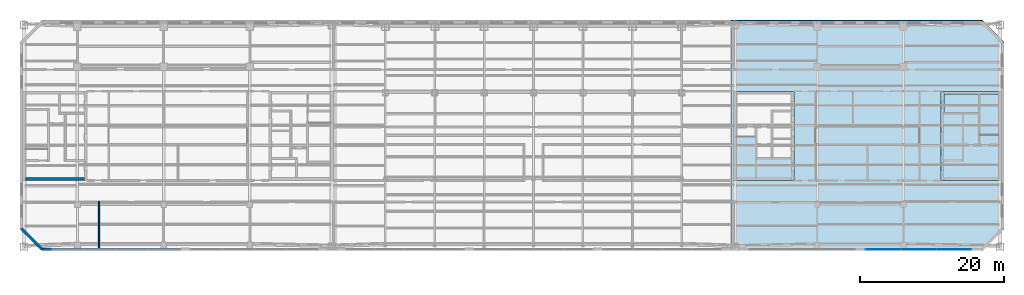
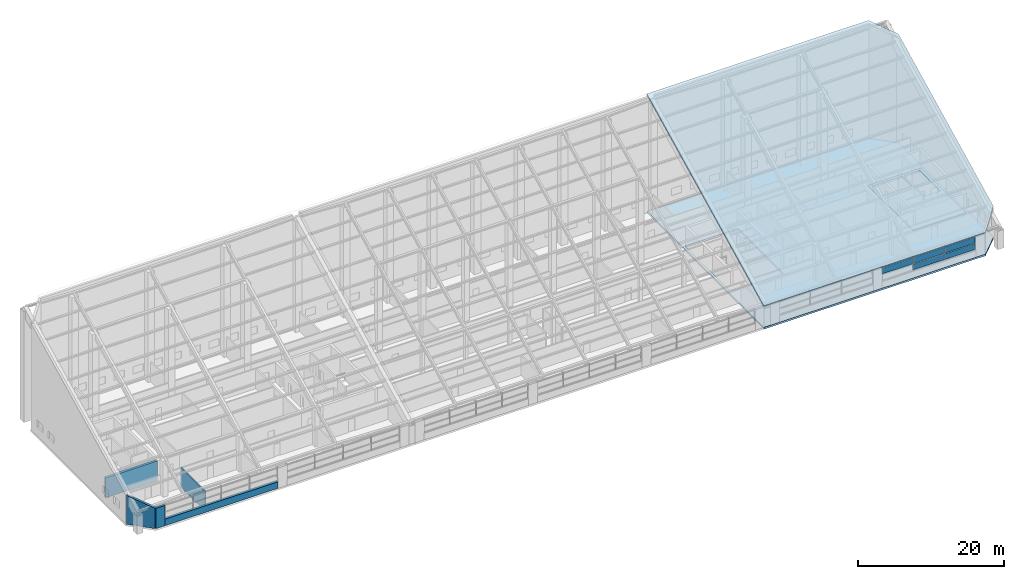
# One storey, part 18 of 28: 5 plates, 5 walls, 3 slabs, 1 element without a shape of its own.
"""IFC4 building model written with IfcOpenShell, lengths in metres."""

import ifcopenshell
import ifcopenshell.guid

model = None  # the IFC model being written
_history = None  # IfcOwnerHistory: only IFC2X3 demands one
_inside = {}  # id of a spatial element -> (the spatial element, [elements in it])
_under = {}  # id of a project, library or spatial element -> (it, [spatial elements below it])
_declared = {}  # id of a project -> (the project, [libraries it declares])
_typed = {}  # id of a type object -> (the type object, [elements of that type])
_made_of = {}  # id of a material, layer set ... -> (it, [elements and type objects made of it])


def new_model(schema):
    """Start an empty IFC model of exactly this schema.

    Asked for "IFC4X3", IfcOpenShell would pick the latest addendum, in which some entities
    have other attributes; the version numbers below select the first issue.
    IFC2X3 requires an IfcOwnerHistory on every rooted entity: one is made here for all.
    """
    global model, _history
    if schema == "IFC4X3":
        model = ifcopenshell.file(schema_version=(4, 3, 0, 0))
    else:
        model = ifcopenshell.file(schema=schema)
    _inside.clear()
    _under.clear()
    _declared.clear()
    _typed.clear()
    _made_of.clear()
    _history = None
    if model.schema == "IFC2X3":
        org = make("IfcOrganization", Name="unknown")
        user = make(
            "IfcPersonAndOrganization",
            ThePerson=make("IfcPerson", FamilyName="unknown"),
            TheOrganization=org,
        )
        app = make(
            "IfcApplication",
            ApplicationDeveloper=org,
            Version="unknown",
            ApplicationFullName="unknown",
            ApplicationIdentifier="unknown",
        )
        _history = make(
            "IfcOwnerHistory",
            OwningUser=user,
            OwningApplication=app,
            ChangeAction="ADDED",
            CreationDate=0,
        )
    return model


def make(cls, **values):
    """One entity of the class cls with the attributes given. An attribute that is None is left unset."""
    return model.create_entity(
        cls, **{name: value for name, value in values.items() if value is not None}
    )


def rooted(cls, **values):
    """An entity with a GlobalId (a new one), such as an element, a storey or a relation."""
    return make(cls, GlobalId=ifcopenshell.guid.new(), OwnerHistory=_history, **values)


def si_unit(unit_type, name, prefix=None):
    """IfcSIUnit, for example si_unit("LENGTHUNIT", "METRE", prefix="MILLI")."""
    return make("IfcSIUnit", UnitType=unit_type, Prefix=prefix, Name=name)


def assignment(units):
    """IfcUnitAssignment: the units of a project."""
    return None if units is None else make("IfcUnitAssignment", Units=units)


def point(xyz):
    """IfcCartesianPoint."""
    return None if xyz is None else make("IfcCartesianPoint", Coordinates=xyz)


def direction(xyz):
    """IfcDirection."""
    return None if xyz is None else make("IfcDirection", DirectionRatios=xyz)


def frame(location, z_axis=None, x_axis=None):
    """IfcAxis2Placement3D, a coordinate frame: its origin and axes. An axis left out is left unset."""
    return make(
        "IfcAxis2Placement3D",
        Location=point(location),
        Axis=direction(z_axis),
        RefDirection=direction(x_axis),
    )


def frame_2d(location, x_axis=None):
    """IfcAxis2Placement2D, a coordinate frame in the plane: its origin and x axis."""
    return make(
        "IfcAxis2Placement2D", Location=point(location), RefDirection=direction(x_axis)
    )


def origin():
    """The frame at (0, 0, 0) with its axes left unset."""
    return frame((0.0, 0.0, 0.0))


def origin_2d():
    """The frame at (0, 0) in the plane with its x axis left unset."""
    return frame_2d((0.0, 0.0))


def place(relative_to, where):
    """IfcLocalPlacement: puts the frame where relative to a parent placement (None: the world)."""
    return make(
        "IfcLocalPlacement", PlacementRelTo=relative_to, RelativePlacement=where
    )


def context(
    kind, dimensions, precision=None, world=None, true_north=None, identifier=None
):
    """IfcGeometricRepresentationContext, for example the 3D "Model" context."""
    return make(
        "IfcGeometricRepresentationContext",
        ContextIdentifier=identifier,
        ContextType=kind,
        CoordinateSpaceDimension=dimensions,
        Precision=precision,
        WorldCoordinateSystem=world,
        TrueNorth=true_north,
    )


def subcontext(parent, identifier, kind, view, scale=None):
    """IfcGeometricRepresentationSubContext, for example "Body" below "Model"."""
    return make(
        "IfcGeometricRepresentationSubContext",
        ContextIdentifier=identifier,
        ContextType=kind,
        ParentContext=parent,
        TargetScale=scale,
        TargetView=view,
    )


def project(units=None, contexts=None):
    """IfcProject with its units and contexts."""
    return rooted(
        "IfcProject",
        Name="project",
        RepresentationContexts=contexts,
        UnitsInContext=assignment(units),
    )


def spatial(cls, under=None, at=None, **own):
    """A site, building, storey or space (cls), placed at a placement, below another one or the project."""
    s = rooted(cls, ObjectPlacement=at, **own)
    if under is not None:
        _under.setdefault(under.id(), (under, []))[1].append(s)
    return s


def polyline(points):
    """IfcPolyline through the points."""
    return make("IfcPolyline", Points=[point(p) for p in points])


def profile(cls, at=None, kind="AREA", **sizes):
    """A parametric profile (cls). Its sizes go by their IFC names, for example OverallWidth=200.0."""
    return make(cls, ProfileType=kind, Position=at, **sizes)


def rectangle(**sizes):
    """IfcRectangleProfileDef."""
    return profile("IfcRectangleProfileDef", **sizes)


def outline(outer, holes=None, kind="AREA"):
    """IfcArbitraryClosedProfileDef: a profile drawn as a closed curve; with holes, ...WithVoids."""
    if holes is None:
        return make("IfcArbitraryClosedProfileDef", ProfileType=kind, OuterCurve=outer)
    return make(
        "IfcArbitraryProfileDefWithVoids",
        ProfileType=kind,
        OuterCurve=outer,
        InnerCurves=holes,
    )


def extrude(swept, where, along, depth):
    """IfcExtrudedAreaSolid: the profile swept, set in the frame where, extruded along a direction by depth."""
    return make(
        "IfcExtrudedAreaSolid",
        SweptArea=swept,
        Position=where,
        ExtrudedDirection=direction(along),
        Depth=depth,
    )


def shape(context_of_items, identifier, shape_type, items):
    """IfcShapeRepresentation: the items that make up one representation, for example the "Body"."""
    return make(
        "IfcShapeRepresentation",
        ContextOfItems=context_of_items,
        RepresentationIdentifier=identifier,
        RepresentationType=shape_type,
        Items=items,
    )


def material(Name=None, Category=None):
    """IfcMaterial."""
    return make("IfcMaterial", Name=Name, Category=Category)


def layer(
    of_material, thickness, ventilated=None, Name=None, Category=None, Priority=None
):
    """IfcMaterialLayer: one layer of a wall or slab, of a material (None: an air gap)."""
    return make(
        "IfcMaterialLayer",
        Material=of_material,
        LayerThickness=thickness,
        IsVentilated=ventilated,
        Name=Name,
        Category=Category,
        Priority=Priority,
    )


def layer_set(layers, Name=None):
    """IfcMaterialLayerSet."""
    return make("IfcMaterialLayerSet", MaterialLayers=layers, LayerSetName=Name)


def made_of(thing, what):
    """Note that an element or type object is made of a material, layer set ...; save() writes the relation."""
    if what is not None:
        _made_of.setdefault(what.id(), (what, []))[1].append(thing)
    return thing


def type_object(cls, material=None, **own):
    """A type object (cls), such as IfcWallType, which elements share."""
    return made_of(rooted(cls, **own), material)


def element(
    cls,
    number,
    at=None,
    inside=None,
    cuts=None,
    type_object=None,
    material=None,
    context=None,
    identifier="Body",
    shape_type=None,
    held_by="IfcProductDefinitionShape",
    body=None,
    shapes=None,
    **own,
):
    """One element of the class cls, such as IfcWall. Its Tag is "e" and its number.

    at: its placement. inside: the storey or other place that contains it. cuts: it is an
    opening in that element (IfcRelVoidsElement). A single representation is given by context,
    identifier, shape_type and body (its items); several are given by shapes. held_by: the class
    of the entity that holds the representations. save() writes the other relations.
    """
    e = rooted(cls, Tag="e%d" % number, ObjectPlacement=at, **own)
    if body is not None:
        shapes = [shape(context, identifier, shape_type, body)]
    if shapes is not None:
        e.Representation = make(held_by, Representations=shapes)
    if inside is not None:
        _inside.setdefault(inside.id(), (inside, []))[1].append(e)
    if cuts is not None:
        rooted(
            "IfcRelVoidsElement", RelatingBuildingElement=cuts, RelatedOpeningElement=e
        )
    if type_object is not None:
        _typed.setdefault(type_object.id(), (type_object, []))[1].append(e)
    return made_of(e, material)


def aggregate(whole, parts):
    """IfcRelAggregates: a whole, such as a stair, and the parts it consists of."""
    return rooted("IfcRelAggregates", RelatingObject=whole, RelatedObjects=parts)


def save(model, path):
    """Write the relations noted so far, then the file.

    IfcRelAggregates (storeys below a building ...), IfcRelContainedInSpatialStructure (elements
    in a storey), IfcRelDefinesByType, IfcRelAssociatesMaterial and IfcRelDeclares: one each for
    every whole, place, type object, material and project.
    """
    for whole, parts in _under.values():
        aggregate(whole, parts)
    for where, things in _inside.values():
        rooted(
            "IfcRelContainedInSpatialStructure",
            RelatedElements=things,
            RelatingStructure=where,
        )
    for kind, things in _typed.values():
        rooted("IfcRelDefinesByType", RelatedObjects=things, RelatingType=kind)
    for what, things in _made_of.values():
        rooted("IfcRelAssociatesMaterial", RelatedObjects=things, RelatingMaterial=what)
    for by, libraries in _declared.values():
        rooted("IfcRelDeclares", RelatingContext=by, RelatedDefinitions=libraries)
    model.write(path)


model = new_model("IFC4")

# Units and contexts
model_context = context("Model", 3, precision=1e-05, world=origin(), true_north=direction((0.0, 1.0)))
body_context = subcontext(model_context, "Body", "Model", "MODEL_VIEW")
ifc_project = project(units=[si_unit("LENGTHUNIT", "METRE"), si_unit("AREAUNIT", "SQUARE_METRE"), si_unit("VOLUMEUNIT", "CUBIC_METRE"), si_unit("PLANEANGLEUNIT", "RADIAN"), si_unit("MASSUNIT", "GRAM", prefix="KILO")], contexts=[model_context])

# Site, building, storey
site_placement = place(None, origin())
site = spatial("IfcSite", under=ifc_project, at=site_placement, CompositionType="ELEMENT")
building_placement = place(site_placement, origin())
building = spatial("IfcBuilding", under=site, at=building_placement, Name="Tuart Gate Housing", CompositionType="ELEMENT")
storey_placement = place(building_placement, frame((0.0, 0.0, 243.89990234375)))
storey = spatial("IfcBuildingStorey", under=building, at=storey_placement, Name="L68", CompositionType="ELEMENT", Elevation=243.89990234375)

# Slabs
ifc_material_1 = material(Name="Zinc standing seam roof on insulated deck")
ifc_layer_1 = layer(ifc_material_1, 0.268310546875)
ifc_layer_set_1 = layer_set([ifc_layer_1], Name="CROWN ROOF")
slab_type_1 = type_object("IfcSlabType", Name="CROWN ROOF", PredefinedType="ROOF", material=ifc_layer_set_1)
slab_1_placement = place(storey_placement, frame((166.0, 86.0, 19.60009765625), z_axis=(0.0, -0.4472135955, 0.894427191), x_axis=(0.666666666667, -0.666666666667, -0.333333333333)))
element("IfcSlab", 1, at=slab_1_placement, inside=storey, type_object=slab_type_1, Name="Crown roof 3", PredefinedType="ROOF", context=body_context, shape_type="SweptSolid", body=[
    extrude(outline(polyline([(0.0, 0.0), (4.5, 0.0), (26.166666666666664, -19.379255804998174), (26.666666666666664, -23.851391759997753), (3.333333333333333, -49.93885149749529), (-23.333333333333332, -26.087459737497543), (0.0, 0.0)])), origin(), (0.0, 0.0, -1.0), 0.268310546875),
])
ifc_material_2 = material(Name="Concrete C40", Category="concrete")
ifc_layer_2 = layer(ifc_material_2, 0.300048828125)
ifc_layer_set_2 = layer_set([ifc_layer_2], Name="Core floor slab 300")
slab_type_2 = type_object("IfcSlabType", Name="Core floor slab 300", PredefinedType="FLOOR", material=ifc_layer_set_2)
slab_2_placement = place(storey_placement, frame((0.0, 0.0, -0.2998046875)))
element("IfcSlab", 2, at=slab_2_placement, inside=storey, type_object=slab_type_2, Name="Core floor BK", PredefinedType="FLOOR", context=body_context, shape_type="SweptSolid", body=[
    extrude(outline(polyline([(160.239990234375, 63.800048828125), (168.639892578125, 63.800048828125), (168.639892578125, 76.199951171875), (160.239990234375, 76.199951171875), (160.239990234375, 63.800048828125)]), holes=[polyline([(160.639892578125, 73.14990234375), (165.4150390625, 73.14990234375), (165.4150390625, 75.800048828125), (160.639892578125, 75.800048828125), (160.639892578125, 73.14990234375)]), polyline([(165.6650390625, 70.14501953125), (168.239990234375, 70.14501953125), (168.239990234375, 75.800048828125), (165.6650390625, 75.800048828125), (165.6650390625, 70.14501953125)])]), origin(), (0.0, 0.0, 1.0), 0.2998046875),
])
ifc_material_3 = material(Name="Concrete C40", Category="concrete")
ifc_layer_3 = layer(ifc_material_3, 0.300048828125)
ifc_layer_set_3 = layer_set([ifc_layer_3], Name="Flat plate 300")
slab_type_3 = type_object("IfcSlabType", Name="Flat plate 300", PredefinedType="FLOOR", material=ifc_layer_set_3)
slab_3_placement = place(storey_placement, frame((0.0, 0.0, -0.2998046875)))
element("IfcSlab", 3, at=slab_3_placement, inside=storey, type_object=slab_type_3, Name="Floor slab B L68", PredefinedType="FLOOR", context=body_context, shape_type="SweptSolid", body=[
    extrude(outline(polyline([(166.0, 86.0), (131.0, 86.0), (131.0, 54.0), (166.0, 54.0), (169.0, 57.0), (169.0, 83.0), (166.0, 86.0)]), holes=[polyline([(131.360107421875, 76.199951171875), (139.760009765625, 76.199951171875), (139.760009765625, 63.800048828125), (131.360107421875, 63.800048828125), (131.360107421875, 76.199951171875)]), polyline([(168.639892578125, 76.199951171875), (168.639892578125, 63.800048828125), (160.239990234375, 63.800048828125), (160.239990234375, 76.199951171875), (168.639892578125, 76.199951171875)])]), origin(), (0.0, 0.0, 1.0), 0.2998046875),
])

# Curtain wall, plates
ifc_material_4 = material(Name="Aluminium and clear glass", Category="aluminium")
curtain_wall_type = type_object("IfcCurtainWallType", Name="Crown clerestory glazing", PredefinedType="USERDEFINED", material=ifc_material_4)
curtain_wall_placement = place(storey_placement, origin())
curtain_wall = element("IfcCurtainWall", 4, at=curtain_wall_placement, inside=storey, type_object=curtain_wall_type, Name="Crown clerestory glazing BLK-S L68", ObjectType="CROWN CLERESTORY GLAZING", PredefinedType="USERDEFINED")
ifc_material_5 = material(Name="Clear glass", Category="glass")
ifc_layer_4 = layer(ifc_material_5, 0.028076171875)
ifc_layer_set_4 = layer_set([ifc_layer_4], Name="Glazed panel 28")
plate_type = type_object("IfcPlateType", Name="Glazed panel 28", PredefinedType="CURTAIN_PANEL", material=ifc_layer_set_4)
plate_1_placement = place(storey_placement, frame((152.17578125, 54.179931640625, 2.26025390625), z_axis=(0.0, 0.0, 1.0), x_axis=(1.0, 0.0, 0.0)))
plate_1 = element("IfcPlate", 5, at=plate_1_placement, type_object=plate_type, Name="CW6 panel 1.2", PredefinedType="CURTAIN_PANEL", context=body_context, shape_type="SweptSolid", body=[
    extrude(rectangle(XDim=4.85595703125, YDim=0.028076171875, at=origin_2d()), origin(), (0.0, 0.0, 1.0), 1.010009765625),
])
plate_2_placement = place(storey_placement, frame((157.106689453125, 54.179931640625, 1.22021484375), z_axis=(0.0, 0.0, 1.0), x_axis=(1.0, 0.0, 0.0)))
plate_2 = element("IfcPlate", 6, at=plate_2_placement, type_object=plate_type, Name="CW6 panel 2.1", PredefinedType="CURTAIN_PANEL", context=body_context, shape_type="SweptSolid", body=[
    extrude(rectangle(XDim=4.885986328125, YDim=0.028076171875, at=origin_2d()), origin(), (0.0, 0.0, 1.0), 0.919921875),
])
plate_3_placement = place(storey_placement, frame((157.106689453125, 54.179931640625, 2.26025390625), z_axis=(0.0, 0.0, 1.0), x_axis=(1.0, 0.0, 0.0)))
plate_3 = element("IfcPlate", 7, at=plate_3_placement, type_object=plate_type, Name="CW6 panel 2.2", PredefinedType="CURTAIN_PANEL", context=body_context, shape_type="SweptSolid", body=[
    extrude(rectangle(XDim=4.885986328125, YDim=0.028076171875, at=origin_2d()), origin(), (0.0, 0.0, 1.0), 1.010009765625),
])
plate_4_placement = place(storey_placement, frame((162.03759765625, 54.179931640625, 1.22021484375), z_axis=(0.0, 0.0, 1.0), x_axis=(1.0, 0.0, 0.0)))
plate_4 = element("IfcPlate", 8, at=plate_4_placement, type_object=plate_type, Name="CW6 panel 3.1", PredefinedType="CURTAIN_PANEL", context=body_context, shape_type="SweptSolid", body=[
    extrude(rectangle(XDim=4.85595703125, YDim=0.028076171875, at=origin_2d()), origin(), (0.0, 0.0, 1.0), 0.919921875),
])
plate_5_placement = place(storey_placement, frame((162.03759765625, 54.179931640625, 2.26025390625), z_axis=(0.0, 0.0, 1.0), x_axis=(1.0, 0.0, 0.0)))
plate_5 = element("IfcPlate", 9, at=plate_5_placement, type_object=plate_type, Name="CW6 panel 3.2", PredefinedType="CURTAIN_PANEL", context=body_context, shape_type="SweptSolid", body=[
    extrude(rectangle(XDim=4.85595703125, YDim=0.028076171875, at=origin_2d()), origin(), (0.0, 0.0, 1.0), 1.010009765625),
])
aggregate(curtain_wall, [plate_1, plate_2, plate_3, plate_4, plate_5])

# Walls
ifc_material_6 = material(Name="Brick", Category="masonry")
ifc_layer_5 = layer(ifc_material_6, 0.360107421875)
ifc_layer_set_5 = layer_set([ifc_layer_5], Name="Brick pier and spandrel wall 360")
wall_type_1 = type_object("IfcWallType", Name="Brick pier and spandrel wall 360", PredefinedType="STANDARD", material=ifc_layer_set_5)
wall_1_placement = place(storey_placement, frame((32.179931640625, 57.07470703125, 0.0), z_axis=(0.0, 0.0, 1.0), x_axis=(0.707106781187, -0.707106781187, 0.0)))
element("IfcWall", 10, at=wall_1_placement, inside=storey, type_object=wall_type_1, Name="Crown cladding wall BLK-SW", PredefinedType="STANDARD", context=body_context, shape_type="SweptSolid", body=[
    extrude(outline(polyline([(0.0, 0.0), (4.09375, 0.0), (4.093505859375, 3.39013671875), (0.0, 4.83740234375), (0.0, 0.0)])), frame((0.0, 0.18017578125, 0.0), z_axis=(0.0, -1.0, 0.0), x_axis=(1.0, 0.0, 0.0)), (0.0, 0.0, 1.0), 0.360107421875),
])
wall_2_placement = place(storey_placement, frame((35.07470703125, 54.179931640625, 0.0), z_axis=(0.0, 0.0, 1.0), x_axis=(1.0, 0.0, 0.0)))
element("IfcWall", 11, at=wall_2_placement, inside=storey, type_object=wall_type_1, Name="Crown pier 1", PredefinedType="STANDARD", context=body_context, shape_type="SweptSolid", body=[
    extrude(rectangle(XDim=1.39990234375, YDim=0.360107421875, at=frame_2d((0.699951171875, 0.0))), origin(), (0.0, 0.0, 1.0), 3.39013671875),
])
wall_3_placement = place(storey_placement, frame((36.474609375, 54.179931640625, 0.0), z_axis=(0.0, 0.0, 1.0), x_axis=(1.0, 0.0, 0.0)))
element("IfcWall", 12, at=wall_3_placement, inside=storey, type_object=wall_type_1, Name="Crown sill wall 1", PredefinedType="STANDARD", context=body_context, shape_type="SweptSolid", body=[
    extrude(rectangle(XDim=17.837646484375, YDim=0.360107421875, at=frame_2d((8.9189453125, 0.0))), origin(), (0.0, 0.0, 1.0), 1.10009765625),
])
ifc_material_7 = material(Name="Concrete C40", Category="concrete")
ifc_layer_6 = layer(ifc_material_7, 0.39990234375)
ifc_layer_set_6 = layer_set([ifc_layer_6], Name="Core wall 400 C40")
wall_type_2 = type_object("IfcWallType", Name="Core wall 400 C40", PredefinedType="SHEAR", material=ifc_layer_set_6)
wall_4_placement = place(storey_placement, frame((40.9599609375, 64.0, 0.0), z_axis=(0.0, 0.0, 1.0), x_axis=(-1.0, 0.0, 0.0)))
element("IfcWall", 13, at=wall_4_placement, inside=storey, type_object=wall_type_2, Name="Core wall AK north", PredefinedType="SHEAR", context=body_context, shape_type="SweptSolid", body=[
    extrude(rectangle(XDim=8.199951171875, YDim=0.39990234375, at=frame_2d((4.10009765625, 0.0))), origin(), (0.0, 0.0, 1.0), 3.300048828125),
])
ifc_material_8 = material(Name="Concrete masonry 15 MPa", Category="masonry")
ifc_layer_7 = layer(ifc_material_8, 0.199951171875)
ifc_layer_set_7 = layer_set([ifc_layer_7], Name="Enclosure wall masonry 200")
wall_type_3 = type_object("IfcWallType", Name="Enclosure wall masonry 200", PredefinedType="PARTITIONING", material=ifc_layer_set_7)
wall_5_placement = place(storey_placement, frame((43.0, 54.239990234375, 0.0), z_axis=(0.0, 0.0, 1.0), x_axis=(0.0, 1.0, 0.0)))
element("IfcWall", 14, at=wall_5_placement, inside=storey, type_object=wall_type_3, Name="Enclosure wall masonry 200", PredefinedType="PARTITIONING", context=body_context, shape_type="SweptSolid", body=[
    extrude(rectangle(XDim=6.659912109375, YDim=0.199951171875, at=frame_2d((3.330078125, 0.0))), origin(), (0.0, 0.0, 1.0), 3.300048828125),
])

save(model, "model.ifc")
